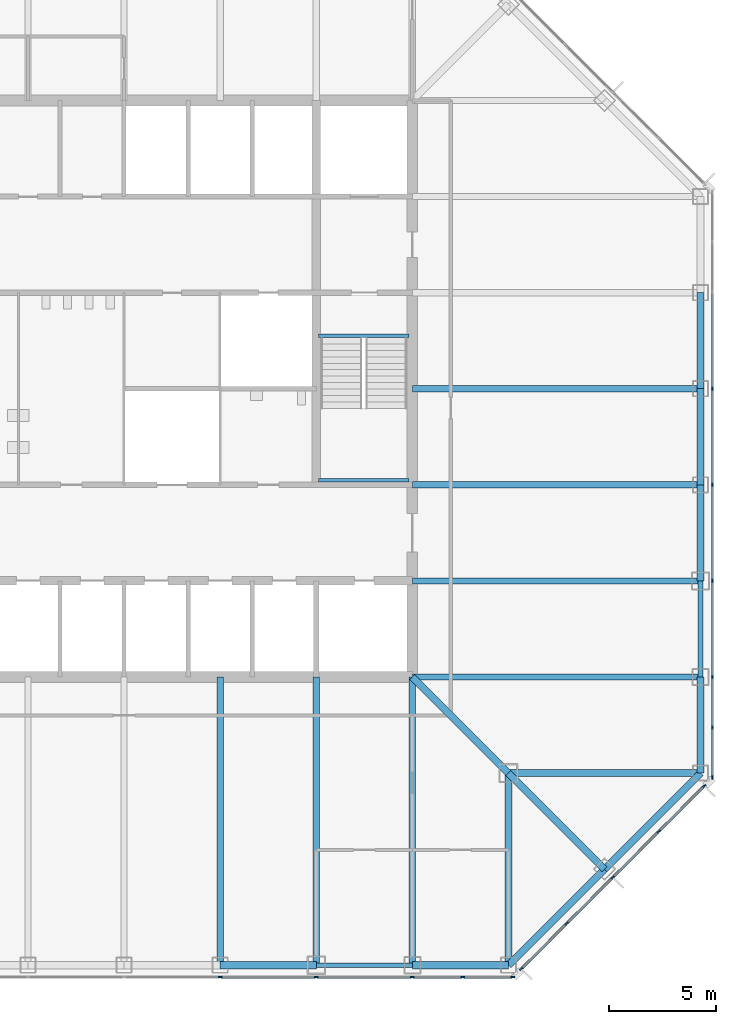
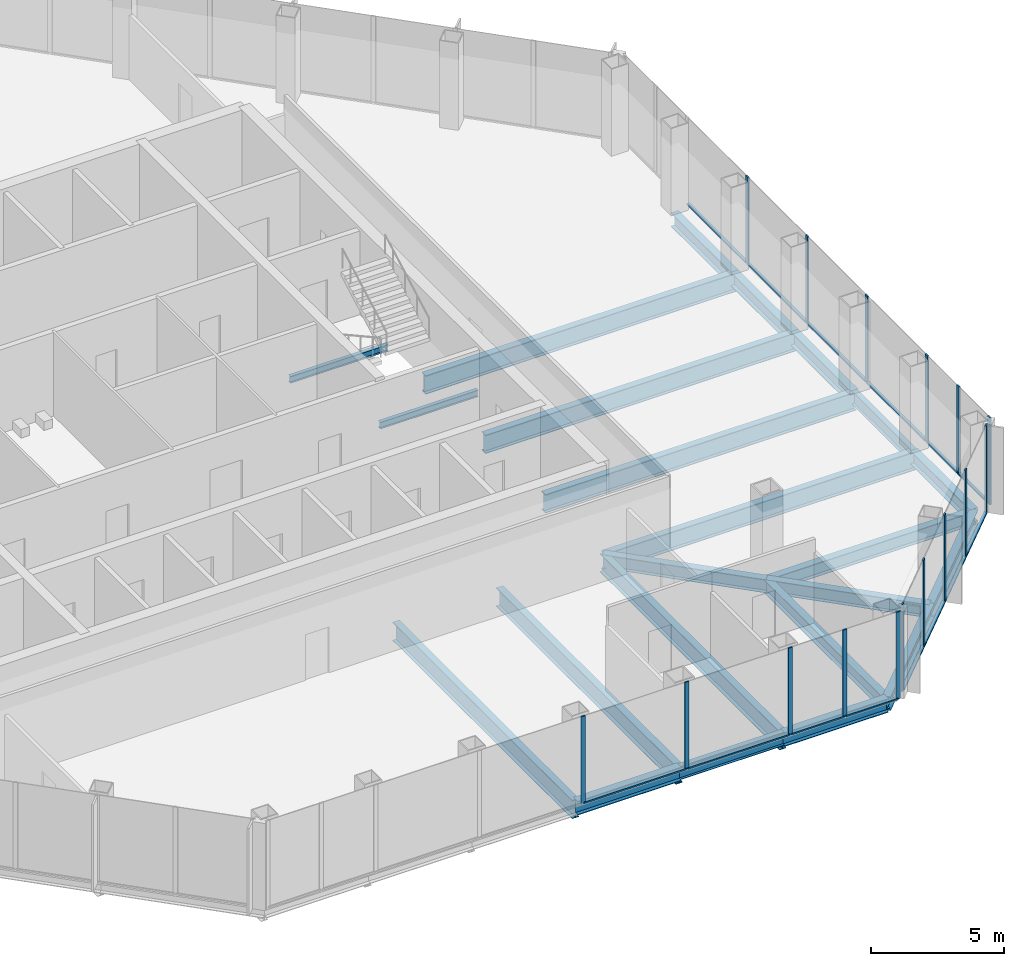
# One storey, part 4 of 12: 30 members, 23 beams, 3 elements without a shape of their own.
"""IFC4 building model written with IfcOpenShell, lengths in metres."""

from ifc_helpers import new_model, si_unit, direction, frame, origin, origin_2d, place, context, subcontext, project, spatial, rectangle, i_section, extrude, material, material_profile, profile_set, type_object, element, aggregate, save


model = new_model("IFC4")

# Units and contexts
model_context = context("Model", 3, precision=1e-05, world=origin(), true_north=direction((0.0, 1.0)))
body_context = subcontext(model_context, "Body", "Model", "MODEL_VIEW")
ifc_project = project(units=[si_unit("LENGTHUNIT", "METRE"), si_unit("AREAUNIT", "SQUARE_METRE"), si_unit("VOLUMEUNIT", "CUBIC_METRE"), si_unit("PLANEANGLEUNIT", "RADIAN"), si_unit("MASSUNIT", "GRAM", prefix="KILO")], contexts=[model_context])

# Site, building, storey
site_placement = place(None, origin())
site = spatial("IfcSite", under=ifc_project, at=site_placement, CompositionType="ELEMENT")
building_placement = place(site_placement, origin())
building = spatial("IfcBuilding", under=site, at=building_placement, Name="Corais Broadcast Tower", CompositionType="ELEMENT")
storey_placement = place(building_placement, frame((0.0, 0.0, 127.60009765625)))
storey = spatial("IfcBuildingStorey", under=building, at=storey_placement, Name="L28", CompositionType="ELEMENT", Elevation=127.60009765625)

# Beams
ifc_material_1 = material(Name="Steel ASTM A572 Grade 50", Category="steel")
ifc_material_profile_1 = material_profile(ifc_material_1, i_section(OverallWidth=0.323974609375, OverallDepth=0.611083984375, WebThickness=0.0126953125, FlangeThickness=0.01904296875, at=origin_2d()), Name="W610x155")
ifc_profile_set_1 = profile_set([ifc_material_profile_1], Name="Steel ASTM A572 Grade 50")
beam_type_1 = type_object("IfcBeamType", Name="Chamfer tie W610x155", PredefinedType="BEAM", material=ifc_profile_set_1)
beam_1_placement = place(storey_placement, frame((49.5, 4.5, -0.465576171875), z_axis=(-0.707106781187, 0.707106781187, 0.0), x_axis=(-0.707106781187, -0.707106781187, 0.0)))
element("IfcBeam", 1, at=beam_1_placement, inside=storey, type_object=beam_type_1, Name="B5 B/14 to C/13", PredefinedType="BEAM", context=body_context, shape_type="SweptSolid", body=[
    extrude(i_section(OverallWidth=0.323974609375, OverallDepth=0.611083984375, WebThickness=0.0126953125, FlangeThickness=0.01904296875, at=origin_2d()), origin(), (0.0, 0.0, 1.0), 6.364013671875),
])
ifc_material_2 = material(Name="Steel ASTM A572 Grade 50", Category="steel")
ifc_material_profile_2 = material_profile(ifc_material_2, i_section(OverallWidth=0.323974609375, OverallDepth=0.611083984375, WebThickness=0.0126953125, FlangeThickness=0.01904296875, at=origin_2d()), Name="W610x155")
ifc_profile_set_2 = profile_set([ifc_material_profile_2], Name="Steel ASTM A572 Grade 50")
beam_type_2 = type_object("IfcBeamType", Name="Corner diagonal W610x155", PredefinedType="BEAM", material=ifc_profile_set_2)
beam_2_placement = place(storey_placement, frame((45.0, 9.0, -0.465576171875), z_axis=(-0.707106781187, 0.707106781187, 0.0), x_axis=(-0.707106781187, -0.707106781187, 0.0)))
element("IfcBeam", 2, at=beam_2_placement, inside=storey, type_object=beam_type_2, Name="B6 C/13 to D/12", PredefinedType="BEAM", context=body_context, shape_type="SweptSolid", body=[
    extrude(i_section(OverallWidth=0.323974609375, OverallDepth=0.611083984375, WebThickness=0.0126953125, FlangeThickness=0.01904296875, at=origin_2d()), origin(), (0.0, 0.0, 1.0), 6.364013671875),
])
ifc_material_3 = material(Name="Steel ASTM A572 Grade 50", Category="steel")
ifc_material_profile_3 = material_profile(ifc_material_3, i_section(OverallWidth=0.323974609375, OverallDepth=0.611083984375, WebThickness=0.0126953125, FlangeThickness=0.01904296875, at=origin_2d()), Name="W610x155")
ifc_profile_set_3 = profile_set([ifc_material_profile_3], Name="Steel ASTM A572 Grade 50")
beam_type_3 = type_object("IfcBeamType", Name="Corner girder W610x155", PredefinedType="BEAM", material=ifc_profile_set_3)
for number, where, z_axis, x_axis, name in (
    (3, (45.0, 0.0, -0.465576171875), (0.0, 1.0, 0.0), (-1.0, 0.0, 0.0), "B4 A/13 to C/13"),
    (4, (54.0, 9.0, -0.465576171875), (-1.0, 0.0, 0.0), (0.0, -1.0, 0.0), "B4 C/15 to C/13"),
):
    element("IfcBeam", number, at=place(storey_placement, frame(where, z_axis=z_axis, x_axis=x_axis)), inside=storey, type_object=beam_type_3, Name=name, PredefinedType="BEAM", context=body_context, shape_type="SweptSolid", body=[
        extrude(i_section(OverallWidth=0.323974609375, OverallDepth=0.611083984375, WebThickness=0.0126953125, FlangeThickness=0.01904296875, at=origin_2d()), origin(), (0.0, 0.0, 1.0), 9.0),
    ])
ifc_material_4 = material(Name="Steel ASTM A572 Grade 50", Category="steel")
ifc_material_profile_4 = material_profile(ifc_material_4, i_section(OverallWidth=0.2939453125, OverallDepth=0.85107421875, WebThickness=0.01611328125, FlangeThickness=0.02685546875, at=origin_2d()), Name="W840x226")
ifc_profile_set_4 = profile_set([ifc_material_profile_4], Name="Steel ASTM A572 Grade 50")
beam_type_4 = type_object("IfcBeamType", Name="Floor beam W840x226", PredefinedType="BEAM", material=ifc_profile_set_4)
for number, where, z_axis, x_axis, name in (
    (5, (31.5, 0.0, -0.585693359375), (0.0, 1.0, 0.0), (-1.0, 0.0, 0.0), "B1 A/10 to D/10"),
    (6, (36.0, 0.0, -0.585693359375), (0.0, 1.0, 0.0), (-1.0, 0.0, 0.0), "B1 A/11 to D/11"),
    (7, (40.5, 0.0, -0.585693359375), (0.0, 1.0, 0.0), (-1.0, 0.0, 0.0), "B1 A/12 to D/12"),
    (8, (54.0, 13.5, -0.585693359375), (-1.0, 0.0, 0.0), (0.0, -1.0, 0.0), "B1 D/15 to D/12"),
    (9, (54.0, 18.0, -0.585693359375), (-1.0, 0.0, 0.0), (0.0, -1.0, 0.0), "B1 E/15 to E/12"),
    (10, (54.0, 22.5, -0.585693359375), (-1.0, 0.0, 0.0), (0.0, -1.0, 0.0), "B1 F/15 to F/12"),
    (11, (54.0, 27.0, -0.585693359375), (-1.0, 0.0, 0.0), (0.0, -1.0, 0.0), "B1 G/15 to G/12"),
):
    element("IfcBeam", number, at=place(storey_placement, frame(where, z_axis=z_axis, x_axis=x_axis)), inside=storey, type_object=beam_type_4, Name=name, PredefinedType="BEAM", context=body_context, shape_type="SweptSolid", body=[
        extrude(i_section(OverallWidth=0.2939453125, OverallDepth=0.85107421875, WebThickness=0.01611328125, FlangeThickness=0.02685546875, at=origin_2d()), origin(), (0.0, 0.0, 1.0), 13.5),
    ])
ifc_material_5 = material(Name="Steel ASTM A572 Grade 50", Category="steel")
ifc_material_profile_5 = material_profile(ifc_material_5, i_section(OverallWidth=0.1650390625, OverallDepth=0.31005859375, WebThickness=0.005859375, FlangeThickness=0.009765625, at=origin_2d()), Name="W310x38.7")
ifc_profile_set_5 = profile_set([ifc_material_profile_5], Name="Steel ASTM A572 Grade 50")
beam_type_5 = type_object("IfcBeamType", Name="Landing trimmer W310x38.7", PredefinedType="BEAM", material=ifc_profile_set_5)
for number, where, z_axis, x_axis, name in (
    (12, (36.10009765625, 29.47509765625, -0.35498046875), (1.0, 0.0, 0.0), (0.0, 1.0, 0.0), "LT1 stair B landing trimmer L28"),
    (13, (36.10009765625, 22.715087890625, 1.64501953125), (1.0, 0.0, 0.0), (0.0, 1.0, 0.0), "LT1 stair B half landing trimmer L28"),
):
    element("IfcBeam", number, at=place(storey_placement, frame(where, z_axis=z_axis, x_axis=x_axis)), inside=storey, type_object=beam_type_5, Name=name, PredefinedType="BEAM", context=body_context, shape_type="SweptSolid", body=[
        extrude(i_section(OverallWidth=0.1650390625, OverallDepth=0.31005859375, WebThickness=0.005859375, FlangeThickness=0.009765625, at=origin_2d()), origin(), (0.0, 0.0, 1.0), 4.25),
    ])

# Curtain wall, members
ifc_material_6 = material(Name="Aluminium and glass", Category="aluminium")
curtain_wall_type = type_object("IfcCurtainWallType", Name="Unitised fritted curtain wall CW2", PredefinedType="NOTDEFINED", material=ifc_material_6)
curtain_wall_1_placement = place(storey_placement, origin())
curtain_wall_1 = element("IfcCurtainWall", 14, at=curtain_wall_1_placement, inside=storey, type_object=curtain_wall_type, Name="CW2 curtain wall L28 6", PredefinedType="NOTDEFINED")
ifc_material_7 = material(Name="Aluminium 6063-T6", Category="aluminium")
ifc_material_profile_6 = material_profile(ifc_material_7, rectangle(XDim=0.06494140625, YDim=0.179931640625, at=origin_2d()), Name="Mullion CW2 65x180")
ifc_profile_set_6 = profile_set([ifc_material_profile_6], Name="Aluminium 6063-T6")
member_type_1 = type_object("IfcMemberType", Name="Mullion CW2 65x180", PredefinedType="MULLION", material=ifc_profile_set_6)
member_1_placement = place(storey_placement, frame((54.550048828125, 27.0, 0.0), z_axis=(0.0, 0.0, 1.0), x_axis=(1.0, 0.0, 0.0)))
member_1 = element("IfcMember", 15, at=member_1_placement, type_object=member_type_1, Name="CW2 mullion 4", PredefinedType="MULLION", context=body_context, shape_type="SweptSolid", body=[
    extrude(rectangle(XDim=0.06494140625, YDim=0.179931640625, at=origin_2d()), origin(), (0.0, 0.0, 1.0), 4.0),
])
member_2_placement = place(storey_placement, frame((54.550048828125, 22.5, 0.0), z_axis=(0.0, 0.0, 1.0), x_axis=(1.0, 0.0, 0.0)))
member_2 = element("IfcMember", 16, at=member_2_placement, type_object=member_type_1, Name="CW2 mullion 5", PredefinedType="MULLION", context=body_context, shape_type="SweptSolid", body=[
    extrude(rectangle(XDim=0.06494140625, YDim=0.179931640625, at=origin_2d()), origin(), (0.0, 0.0, 1.0), 4.0),
])
member_3_placement = place(storey_placement, frame((54.550048828125, 18.0, 0.0), z_axis=(0.0, 0.0, 1.0), x_axis=(1.0, 0.0, 0.0)))
member_3 = element("IfcMember", 17, at=member_3_placement, type_object=member_type_1, Name="CW2 mullion 6", PredefinedType="MULLION", context=body_context, shape_type="SweptSolid", body=[
    extrude(rectangle(XDim=0.06494140625, YDim=0.179931640625, at=origin_2d()), origin(), (0.0, 0.0, 1.0), 4.0),
])
member_4_placement = place(storey_placement, frame((54.550048828125, 13.5, 0.0), z_axis=(0.0, 0.0, 1.0), x_axis=(1.0, 0.0, 0.0)))
member_4 = element("IfcMember", 18, at=member_4_placement, type_object=member_type_1, Name="CW2 mullion 7", PredefinedType="MULLION", context=body_context, shape_type="SweptSolid", body=[
    extrude(rectangle(XDim=0.06494140625, YDim=0.179931640625, at=origin_2d()), origin(), (0.0, 0.0, 1.0), 4.0),
])
member_5_placement = place(storey_placement, frame((54.550048828125, 11.135986328125, 0.0), z_axis=(0.0, 0.0, 1.0), x_axis=(1.0, 0.0, 0.0)))
member_5 = element("IfcMember", 19, at=member_5_placement, type_object=member_type_1, Name="CW2 mullion 8", PredefinedType="MULLION", context=body_context, shape_type="SweptSolid", body=[
    extrude(rectangle(XDim=0.06494140625, YDim=0.179931640625, at=origin_2d()), origin(), (0.0, 0.0, 1.0), 4.0),
])
member_6_placement = place(storey_placement, frame((54.550048828125, 8.8046875, 0.0), z_axis=(0.0, 0.0, 1.0), x_axis=(1.0, 0.0, 0.0)))
member_6 = element("IfcMember", 20, at=member_6_placement, type_object=member_type_1, Name="CW2 mullion 9", PredefinedType="MULLION", context=body_context, shape_type="SweptSolid", body=[
    extrude(rectangle(XDim=0.06494140625, YDim=0.179931640625, at=origin_2d()), origin(), (0.0, 0.0, 1.0), 4.0),
])

curtain_wall_2_placement = place(storey_placement, origin())
curtain_wall_2 = element("IfcCurtainWall", 21, at=curtain_wall_2_placement, inside=storey, type_object=curtain_wall_type, Name="CW2 curtain wall L28 7", PredefinedType="NOTDEFINED")
member_7_placement = place(storey_placement, frame((54.17333984375, 8.3955078125, 0.0), z_axis=(0.0, 0.0, 1.0), x_axis=(0.707106781187, -0.707106781187, 0.0)))
member_7 = element("IfcMember", 22, at=member_7_placement, type_object=member_type_1, Name="CW2 mullion 1", PredefinedType="MULLION", context=body_context, shape_type="SweptSolid", body=[
    extrude(rectangle(XDim=0.06494140625, YDim=0.179931640625, at=origin_2d()), origin(), (0.0, 0.0, 1.0), 4.0),
])
member_8_placement = place(storey_placement, frame((52.042724609375, 6.264892578125, 0.0), z_axis=(0.0, 0.0, 1.0), x_axis=(0.707106781187, -0.707106781187, 0.0)))
member_8 = element("IfcMember", 23, at=member_8_placement, type_object=member_type_1, Name="CW2 mullion 2", PredefinedType="MULLION", context=body_context, shape_type="SweptSolid", body=[
    extrude(rectangle(XDim=0.06494140625, YDim=0.179931640625, at=origin_2d()), origin(), (0.0, 0.0, 1.0), 4.0),
])
member_9_placement = place(storey_placement, frame((49.888916015625, 4.111083984375, 0.0), z_axis=(0.0, 0.0, 1.0), x_axis=(0.707106781187, -0.707106781187, 0.0)))
member_9 = element("IfcMember", 24, at=member_9_placement, type_object=member_type_1, Name="CW2 mullion 3", PredefinedType="MULLION", context=body_context, shape_type="SweptSolid", body=[
    extrude(rectangle(XDim=0.06494140625, YDim=0.179931640625, at=origin_2d()), origin(), (0.0, 0.0, 1.0), 4.0),
])
member_10_placement = place(storey_placement, frame((47.735107421875, 1.957275390625, 0.0), z_axis=(0.0, 0.0, 1.0), x_axis=(0.707106781187, -0.707106781187, 0.0)))
member_10 = element("IfcMember", 25, at=member_10_placement, type_object=member_type_1, Name="CW2 mullion 4", PredefinedType="MULLION", context=body_context, shape_type="SweptSolid", body=[
    extrude(rectangle(XDim=0.06494140625, YDim=0.179931640625, at=origin_2d()), origin(), (0.0, 0.0, 1.0), 4.0),
])
member_11_placement = place(storey_placement, frame((45.6044921875, -0.17333984375, 0.0), z_axis=(0.0, 0.0, 1.0), x_axis=(0.707106781187, -0.707106781187, 0.0)))
member_11 = element("IfcMember", 26, at=member_11_placement, type_object=member_type_1, Name="CW2 mullion 5", PredefinedType="MULLION", context=body_context, shape_type="SweptSolid", body=[
    extrude(rectangle(XDim=0.06494140625, YDim=0.179931640625, at=origin_2d()), origin(), (0.0, 0.0, 1.0), 4.0),
])

curtain_wall_3_placement = place(storey_placement, origin())
curtain_wall_3 = element("IfcCurtainWall", 27, at=curtain_wall_3_placement, inside=storey, type_object=curtain_wall_type, Name="CW2 curtain wall L28 8", PredefinedType="NOTDEFINED")
member_12_placement = place(storey_placement, frame((45.1953125, -0.550048828125, 0.0), z_axis=(0.0, 0.0, 1.0), x_axis=(0.0, -1.0, 0.0)))
member_12 = element("IfcMember", 28, at=member_12_placement, type_object=member_type_1, Name="CW2 mullion 1", PredefinedType="MULLION", context=body_context, shape_type="SweptSolid", body=[
    extrude(rectangle(XDim=0.06494140625, YDim=0.179931640625, at=origin_2d()), origin(), (0.0, 0.0, 1.0), 4.0),
])
member_13_placement = place(storey_placement, frame((42.864013671875, -0.550048828125, 0.0), z_axis=(0.0, 0.0, 1.0), x_axis=(0.0, -1.0, 0.0)))
member_13 = element("IfcMember", 29, at=member_13_placement, type_object=member_type_1, Name="CW2 mullion 2", PredefinedType="MULLION", context=body_context, shape_type="SweptSolid", body=[
    extrude(rectangle(XDim=0.06494140625, YDim=0.179931640625, at=origin_2d()), origin(), (0.0, 0.0, 1.0), 4.0),
])
member_14_placement = place(storey_placement, frame((40.5, -0.550048828125, 0.0), z_axis=(0.0, 0.0, 1.0), x_axis=(0.0, -1.0, 0.0)))
member_14 = element("IfcMember", 30, at=member_14_placement, type_object=member_type_1, Name="CW2 mullion 3", PredefinedType="MULLION", context=body_context, shape_type="SweptSolid", body=[
    extrude(rectangle(XDim=0.06494140625, YDim=0.179931640625, at=origin_2d()), origin(), (0.0, 0.0, 1.0), 4.0),
])
member_15_placement = place(storey_placement, frame((36.0, -0.550048828125, 0.0), z_axis=(0.0, 0.0, 1.0), x_axis=(0.0, -1.0, 0.0)))
member_15 = element("IfcMember", 31, at=member_15_placement, type_object=member_type_1, Name="CW2 mullion 4", PredefinedType="MULLION", context=body_context, shape_type="SweptSolid", body=[
    extrude(rectangle(XDim=0.06494140625, YDim=0.179931640625, at=origin_2d()), origin(), (0.0, 0.0, 1.0), 4.0),
])
member_16_placement = place(storey_placement, frame((31.5, -0.550048828125, 0.0), z_axis=(0.0, 0.0, 1.0), x_axis=(0.0, -1.0, 0.0)))
member_16 = element("IfcMember", 32, at=member_16_placement, type_object=member_type_1, Name="CW2 mullion 5", PredefinedType="MULLION", context=body_context, shape_type="SweptSolid", body=[
    extrude(rectangle(XDim=0.06494140625, YDim=0.179931640625, at=origin_2d()), origin(), (0.0, 0.0, 1.0), 4.0),
])

# Beams
ifc_material_8 = material(Name="Steel ASTM A572 Grade 50", Category="steel")
ifc_material_profile_7 = material_profile(ifc_material_8, i_section(OverallWidth=0.22900390625, OverallDepth=0.612060546875, WebThickness=0.011962890625, FlangeThickness=0.01953125, at=origin_2d()), Name="W610x125")
ifc_profile_set_7 = profile_set([ifc_material_profile_7], Name="Steel ASTM A572 Grade 50")
beam_type_6 = type_object("IfcBeamType", Name="Pinned spandrel W610x125", PredefinedType="BEAM", material=ifc_profile_set_7)
for number, where, z_axis, x_axis, name in (
    (33, (36.0, 0.0, -0.466064453125), (1.0, 0.0, 0.0), (0.0, 1.0, 0.0), "SB7 A/11 to A/12"),
    (34, (54.0, 13.5, -0.466064453125), (0.0, 1.0, 0.0), (-1.0, 0.0, 0.0), "SB7 D/15 to E/15"),
):
    element("IfcBeam", number, at=place(storey_placement, frame(where, z_axis=z_axis, x_axis=x_axis)), inside=storey, type_object=beam_type_6, Name=name, PredefinedType="BEAM", context=body_context, shape_type="SweptSolid", body=[
        extrude(i_section(OverallWidth=0.22900390625, OverallDepth=0.612060546875, WebThickness=0.011962890625, FlangeThickness=0.01953125, at=origin_2d()), origin(), (0.0, 0.0, 1.0), 4.5),
    ])
ifc_material_9 = material(Name="Steel ASTM A572 Grade 50", Category="steel")
ifc_material_profile_8 = material_profile(ifc_material_9, i_section(OverallWidth=0.3291015625, OverallDepth=0.635009765625, WebThickness=0.017822265625, FlangeThickness=0.031005859375, at=origin_2d()), Name="W610x241")
ifc_profile_set_8 = profile_set([ifc_material_profile_8], Name="Steel ASTM A572 Grade 50")
beam_type_7 = type_object("IfcBeamType", Name="Spandrel W610x241", PredefinedType="BEAM", material=ifc_profile_set_8)
for number, where, z_axis, x_axis, name in (
    (35, (31.5, 0.0, -0.4775390625), (1.0, 0.0, 0.0), (0.0, 1.0, 0.0), "SB1 A/10 to A/11"),
    (36, (40.5, 0.0, -0.4775390625), (1.0, 0.0, 0.0), (0.0, 1.0, 0.0), "SB1 A/12 to A/13"),
):
    element("IfcBeam", number, at=place(storey_placement, frame(where, z_axis=z_axis, x_axis=x_axis)), inside=storey, type_object=beam_type_7, Name=name, PredefinedType="BEAM", context=body_context, shape_type="SweptSolid", body=[
        extrude(i_section(OverallWidth=0.3291015625, OverallDepth=0.635009765625, WebThickness=0.017822265625, FlangeThickness=0.031005859375, at=origin_2d()), origin(), (0.0, 0.0, 1.0), 4.5),
    ])
for number, where, z_axis, x_axis, name in (
    (37, (45.0, 0.0, -0.4775390625), (0.707106781187, 0.707106781187, 0.0), (-0.707106781187, 0.707106781187, 0.0), "SB1 A/13 to B/14"),
    (38, (49.5, 4.5, -0.4775390625), (0.707106781187, 0.707106781187, 0.0), (-0.707106781187, 0.707106781187, 0.0), "SB1 B/14 to C/15"),
):
    element("IfcBeam", number, at=place(storey_placement, frame(where, z_axis=z_axis, x_axis=x_axis)), inside=storey, type_object=beam_type_7, Name=name, PredefinedType="BEAM", context=body_context, shape_type="SweptSolid", body=[
        extrude(i_section(OverallWidth=0.3291015625, OverallDepth=0.635009765625, WebThickness=0.017822265625, FlangeThickness=0.031005859375, at=origin_2d()), origin(), (0.0, 0.0, 1.0), 6.364013671875),
    ])
for number, where, z_axis, x_axis, name in (
    (39, (54.0, 18.0, -0.4775390625), (0.0, 1.0, 0.0), (-1.0, 0.0, 0.0), "SB1 E/15 to F/15"),
    (40, (54.0, 22.5, -0.4775390625), (0.0, 1.0, 0.0), (-1.0, 0.0, 0.0), "SB1 F/15 to G/15"),
    (41, (54.0, 27.0, -0.4775390625), (0.0, 1.0, 0.0), (-1.0, 0.0, 0.0), "SB1 G/15 to H/15"),
    (42, (54.0, 9.0, -0.4775390625), (0.0, 1.0, 0.0), (-1.0, 0.0, 0.0), "SB1 C/15 to D/15"),
):
    element("IfcBeam", number, at=place(storey_placement, frame(where, z_axis=z_axis, x_axis=x_axis)), inside=storey, type_object=beam_type_7, Name=name, PredefinedType="BEAM", context=body_context, shape_type="SweptSolid", body=[
        extrude(i_section(OverallWidth=0.3291015625, OverallDepth=0.635009765625, WebThickness=0.017822265625, FlangeThickness=0.031005859375, at=origin_2d()), origin(), (0.0, 0.0, 1.0), 4.5),
    ])

# Member
ifc_material_10 = material(Name="Aluminium 6063-T6", Category="aluminium")
ifc_material_profile_9 = material_profile(ifc_material_10, rectangle(XDim=0.1298828125, YDim=0.06494140625, at=origin_2d()), Name="Transom CW2 65x130")
ifc_profile_set_9 = profile_set([ifc_material_profile_9], Name="Aluminium 6063-T6")
member_type_2 = type_object("IfcMemberType", Name="Transom CW2 65x130", PredefinedType="USERDEFINED", material=ifc_profile_set_9)
member_17_placement = place(storey_placement, frame((54.550048828125, 31.467529296875, 0.032470703125), z_axis=(0.0, -1.0, 0.0), x_axis=(1.0, 0.0, 0.0)))
member_17 = element("IfcMember", 43, at=member_17_placement, type_object=member_type_2, Name="CW2 transom 3.1", ObjectType="TRANSOM", PredefinedType="USERDEFINED", context=body_context, shape_type="SweptSolid", body=[
    extrude(rectangle(XDim=0.1298828125, YDim=0.06494140625, at=origin_2d()), origin(), (0.0, 0.0, 1.0), 4.43505859375),
])

member_18_placement = place(storey_placement, frame((54.550048828125, 26.967529296875, 0.032470703125), z_axis=(0.0, -1.0, 0.0), x_axis=(1.0, 0.0, 0.0)))
member_18 = element("IfcMember", 44, at=member_18_placement, type_object=member_type_2, Name="CW2 transom 4.1", ObjectType="TRANSOM", PredefinedType="USERDEFINED", context=body_context, shape_type="SweptSolid", body=[
    extrude(rectangle(XDim=0.1298828125, YDim=0.06494140625, at=origin_2d()), origin(), (0.0, 0.0, 1.0), 4.43505859375),
])

member_19_placement = place(storey_placement, frame((54.550048828125, 22.467529296875, 0.032470703125), z_axis=(0.0, -1.0, 0.0), x_axis=(1.0, 0.0, 0.0)))
member_19 = element("IfcMember", 45, at=member_19_placement, type_object=member_type_2, Name="CW2 transom 5.1", ObjectType="TRANSOM", PredefinedType="USERDEFINED", context=body_context, shape_type="SweptSolid", body=[
    extrude(rectangle(XDim=0.1298828125, YDim=0.06494140625, at=origin_2d()), origin(), (0.0, 0.0, 1.0), 4.43505859375),
])

member_20_placement = place(storey_placement, frame((54.550048828125, 17.967529296875, 0.032470703125), z_axis=(0.0, -1.0, 0.0), x_axis=(1.0, 0.0, 0.0)))
member_20 = element("IfcMember", 46, at=member_20_placement, type_object=member_type_2, Name="CW2 transom 6.1", ObjectType="TRANSOM", PredefinedType="USERDEFINED", context=body_context, shape_type="SweptSolid", body=[
    extrude(rectangle(XDim=0.1298828125, YDim=0.06494140625, at=origin_2d()), origin(), (0.0, 0.0, 1.0), 4.43505859375),
])

member_21_placement = place(storey_placement, frame((54.550048828125, 13.467529296875, 0.032470703125), z_axis=(0.0, -1.0, 0.0), x_axis=(1.0, 0.0, 0.0)))
member_21 = element("IfcMember", 47, at=member_21_placement, type_object=member_type_2, Name="CW2 transom 7.1", ObjectType="TRANSOM", PredefinedType="USERDEFINED", context=body_context, shape_type="SweptSolid", body=[
    extrude(rectangle(XDim=0.1298828125, YDim=0.06494140625, at=origin_2d()), origin(), (0.0, 0.0, 1.0), 2.298828125),
])

member_22_placement = place(storey_placement, frame((54.550048828125, 11.103515625, 0.032470703125), z_axis=(0.0, -1.0, 0.0), x_axis=(1.0, 0.0, 0.0)))
member_22 = element("IfcMember", 48, at=member_22_placement, type_object=member_type_2, Name="CW2 transom 8.1", ObjectType="TRANSOM", PredefinedType="USERDEFINED", context=body_context, shape_type="SweptSolid", body=[
    extrude(rectangle(XDim=0.1298828125, YDim=0.06494140625, at=origin_2d()), origin(), (0.0, 0.0, 1.0), 2.266357421875),
])

aggregate(curtain_wall_1, [member_1, member_2, member_3, member_4, member_5, member_6, member_17, member_18, member_19, member_20, member_21, member_22])

member_23_placement = place(storey_placement, frame((54.150390625, 8.37255859375, 0.032470703125), z_axis=(-0.707106781187, -0.707106781187, 0.0), x_axis=(0.707106781187, -0.707106781187, 0.0)))
member_23 = element("IfcMember", 49, at=member_23_placement, type_object=member_type_2, Name="CW2 transom 1.1", ObjectType="TRANSOM", PredefinedType="USERDEFINED", context=body_context, shape_type="SweptSolid", body=[
    extrude(rectangle(XDim=0.1298828125, YDim=0.06494140625, at=origin_2d()), origin(), (0.0, 0.0, 1.0), 2.9482421875),
])

member_24_placement = place(storey_placement, frame((52.019775390625, 6.241943359375, 0.032470703125), z_axis=(-0.707106781187, -0.707106781187, 0.0), x_axis=(0.707106781187, -0.707106781187, 0.0)))
member_24 = element("IfcMember", 50, at=member_24_placement, type_object=member_type_2, Name="CW2 transom 2.1", ObjectType="TRANSOM", PredefinedType="USERDEFINED", context=body_context, shape_type="SweptSolid", body=[
    extrude(rectangle(XDim=0.1298828125, YDim=0.06494140625, at=origin_2d()), origin(), (0.0, 0.0, 1.0), 2.98095703125),
])

member_25_placement = place(storey_placement, frame((49.865966796875, 4.088134765625, 0.032470703125), z_axis=(-0.707106781187, -0.707106781187, 0.0), x_axis=(0.707106781187, -0.707106781187, 0.0)))
member_25 = element("IfcMember", 51, at=member_25_placement, type_object=member_type_2, Name="CW2 transom 3.1", ObjectType="TRANSOM", PredefinedType="USERDEFINED", context=body_context, shape_type="SweptSolid", body=[
    extrude(rectangle(XDim=0.1298828125, YDim=0.06494140625, at=origin_2d()), origin(), (0.0, 0.0, 1.0), 2.98095703125),
])

member_26_placement = place(storey_placement, frame((47.712158203125, 1.934326171875, 0.032470703125), z_axis=(-0.707106781187, -0.707106781187, 0.0), x_axis=(0.707106781187, -0.707106781187, 0.0)))
member_26 = element("IfcMember", 52, at=member_26_placement, type_object=member_type_2, Name="CW2 transom 4.1", ObjectType="TRANSOM", PredefinedType="USERDEFINED", context=body_context, shape_type="SweptSolid", body=[
    extrude(rectangle(XDim=0.1298828125, YDim=0.06494140625, at=origin_2d()), origin(), (0.0, 0.0, 1.0), 2.9482421875),
])

aggregate(curtain_wall_2, [member_7, member_8, member_9, member_10, member_11, member_23, member_24, member_25, member_26])

member_27_placement = place(storey_placement, frame((45.162841796875, -0.550048828125, 0.032470703125), z_axis=(-1.0, 0.0, 0.0), x_axis=(0.0, -1.0, 0.0)))
member_27 = element("IfcMember", 53, at=member_27_placement, type_object=member_type_2, Name="CW2 transom 1.1", ObjectType="TRANSOM", PredefinedType="USERDEFINED", context=body_context, shape_type="SweptSolid", body=[
    extrude(rectangle(XDim=0.1298828125, YDim=0.06494140625, at=origin_2d()), origin(), (0.0, 0.0, 1.0), 2.266357421875),
])

member_28_placement = place(storey_placement, frame((42.831298828125, -0.550048828125, 0.032470703125), z_axis=(-1.0, 0.0, 0.0), x_axis=(0.0, -1.0, 0.0)))
member_28 = element("IfcMember", 54, at=member_28_placement, type_object=member_type_2, Name="CW2 transom 2.1", ObjectType="TRANSOM", PredefinedType="USERDEFINED", context=body_context, shape_type="SweptSolid", body=[
    extrude(rectangle(XDim=0.1298828125, YDim=0.06494140625, at=origin_2d()), origin(), (0.0, 0.0, 1.0), 2.298828125),
])

member_29_placement = place(storey_placement, frame((40.467529296875, -0.550048828125, 0.032470703125), z_axis=(-1.0, 0.0, 0.0), x_axis=(0.0, -1.0, 0.0)))
member_29 = element("IfcMember", 55, at=member_29_placement, type_object=member_type_2, Name="CW2 transom 3.1", ObjectType="TRANSOM", PredefinedType="USERDEFINED", context=body_context, shape_type="SweptSolid", body=[
    extrude(rectangle(XDim=0.1298828125, YDim=0.06494140625, at=origin_2d()), origin(), (0.0, 0.0, 1.0), 4.43505859375),
])

member_30_placement = place(storey_placement, frame((35.967529296875, -0.550048828125, 0.032470703125), z_axis=(-1.0, 0.0, 0.0), x_axis=(0.0, -1.0, 0.0)))
member_30 = element("IfcMember", 56, at=member_30_placement, type_object=member_type_2, Name="CW2 transom 4.1", ObjectType="TRANSOM", PredefinedType="USERDEFINED", context=body_context, shape_type="SweptSolid", body=[
    extrude(rectangle(XDim=0.1298828125, YDim=0.06494140625, at=origin_2d()), origin(), (0.0, 0.0, 1.0), 4.43505859375),
])

aggregate(curtain_wall_3, [member_12, member_13, member_14, member_15, member_16, member_27, member_28, member_29, member_30])

save(model, "model.ifc")
